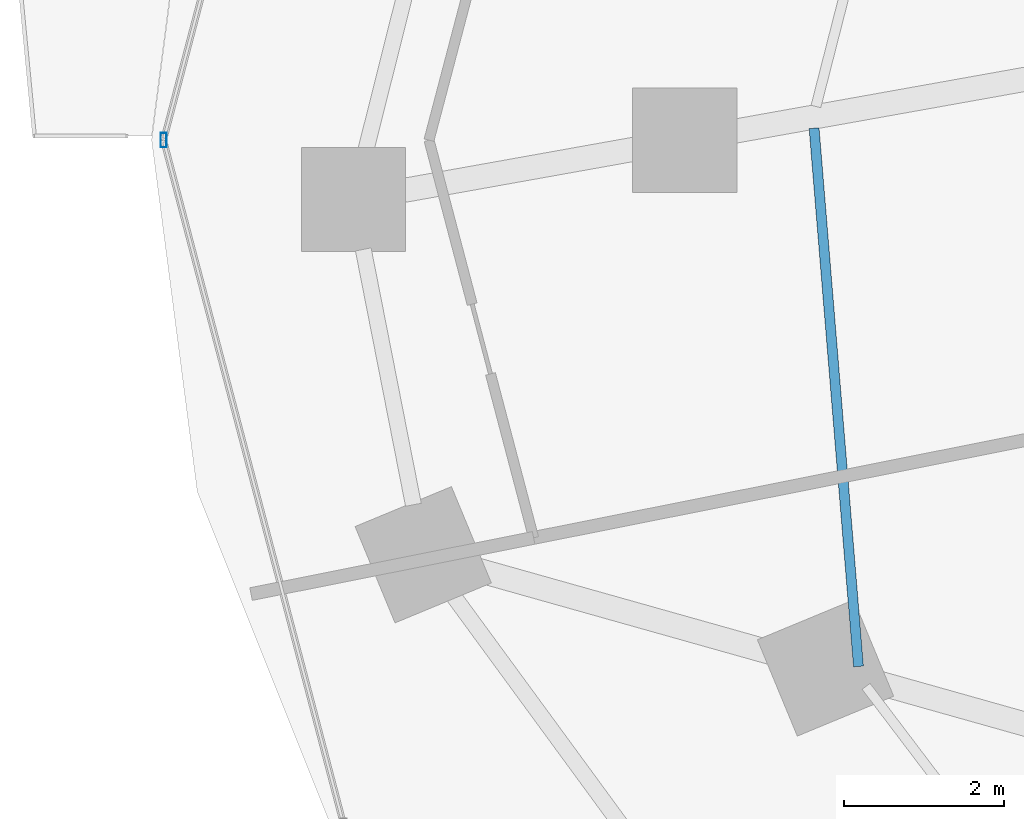
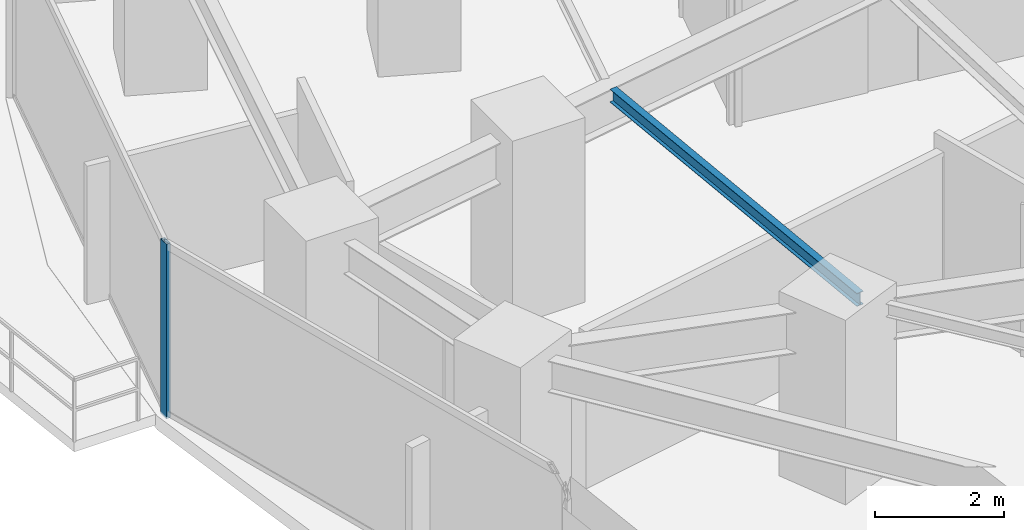
# One storey, part 8 of 35: 1 beam, 1 member, 1 element without a shape of its own.
"""IFC4 building model written with IfcOpenShell, lengths in metres."""

from ifc_helpers import new_model, si_unit, direction, frame, origin, origin_2d, place, context, subcontext, project, spatial, hollow_rectangle, i_section, extrude, material, material_profile, profile_set, type_object, element, aggregate, save


model = new_model("IFC4")

# Units and contexts
model_context = context("Model", 3, precision=1e-05, world=origin(), true_north=direction((0.0, 1.0)))
body_context = subcontext(model_context, "Body", "Model", "MODEL_VIEW")
ifc_project = project(units=[si_unit("LENGTHUNIT", "METRE"), si_unit("AREAUNIT", "SQUARE_METRE"), si_unit("VOLUMEUNIT", "CUBIC_METRE"), si_unit("PLANEANGLEUNIT", "RADIAN"), si_unit("MASSUNIT", "GRAM", prefix="KILO")], contexts=[model_context])

# Site, building, storey
site_placement = place(None, origin())
site = spatial("IfcSite", under=ifc_project, at=site_placement, CompositionType="ELEMENT")
building_placement = place(site_placement, origin())
building = spatial("IfcBuilding", under=site, at=building_placement, Name="Vorneva Point Tower", CompositionType="ELEMENT")
storey_placement = place(building_placement, frame((0.0, 0.0, 45.0)))
storey = spatial("IfcBuildingStorey", under=building, at=storey_placement, Name="L11", CompositionType="ELEMENT", Elevation=45.0)

# Beam
ifc_material_1 = material(Name="Steel S355", Category="steel")
ifc_material_profile_1 = material_profile(ifc_material_1, i_section(OverallWidth=0.1240234375, OverallDepth=0.248046875, WebThickness=0.0048828125, FlangeThickness=0.008056640625, at=origin_2d()), Name="25B1")
ifc_profile_set_1 = profile_set([ifc_material_profile_1], Name="Steel S355")
beam_type = type_object("IfcBeamType", Name="BM-JST-25B1", PredefinedType="JOIST", material=ifc_profile_set_1)
beam_placement = place(storey_placement, frame((16.56201171875, 26.148681640625, 3.115966796875), z_axis=(0.082178451573, -0.996617630838, 0.0), x_axis=(0.996617630838, 0.082178451573, 0.0)))
element("IfcBeam", 1, at=beam_placement, inside=storey, type_object=beam_type, Name="L11 Secondary Floor Beam 1.09", PredefinedType="JOIST", context=body_context, shape_type="SweptSolid", body=[
    extrude(i_section(OverallWidth=0.1240234375, OverallDepth=0.248046875, WebThickness=0.0048828125, FlangeThickness=0.008056640625, at=origin_2d()), origin(), (0.0, 0.0, 1.0), 6.73486328125),
])

# Curtain wall, member
ifc_material_2 = material(Name="Pale anodised aluminium", Category="aluminium")
curtain_wall_type = type_object("IfcCurtainWallType", Name="CW-HTL-SYS", PredefinedType="NOTDEFINED", material=ifc_material_2)
curtain_wall_placement = place(storey_placement, origin())
curtain_wall = element("IfcCurtainWall", 2, at=curtain_wall_placement, inside=storey, type_object=curtain_wall_type, Name="L11 Unitised Curtain Wall CW-L11-R03", PredefinedType="NOTDEFINED")
ifc_material_profile_2 = material_profile(ifc_material_2, hollow_rectangle(XDim=0.074951171875, YDim=0.179931640625, WallThickness=0.00390625, at=origin_2d()), Name="AL-MUL 180x75x4")
ifc_profile_set_2 = profile_set([ifc_material_profile_2], Name="Pale anodised aluminium")
member_type = type_object("IfcMemberType", Name="CW-MUL-180", PredefinedType="MULLION", material=ifc_profile_set_2)
member_placement = place(storey_placement, frame((8.449951171875, 26.0, -0.0400390625), z_axis=(0.0, 0.0, 1.0), x_axis=(1.0, 0.0, 0.0)))
member = element("IfcMember", 3, at=member_placement, type_object=member_type, Name="CW-L11-R03 Mullion 02", PredefinedType="MULLION", context=body_context, shape_type="SweptSolid", body=[
    extrude(hollow_rectangle(XDim=0.074951171875, YDim=0.179931640625, WallThickness=0.00390625, at=origin_2d()), origin(), (0.0, 0.0, 1.0), 3.31005859375),
])
aggregate(curtain_wall, [member])

save(model, "model.ifc")
